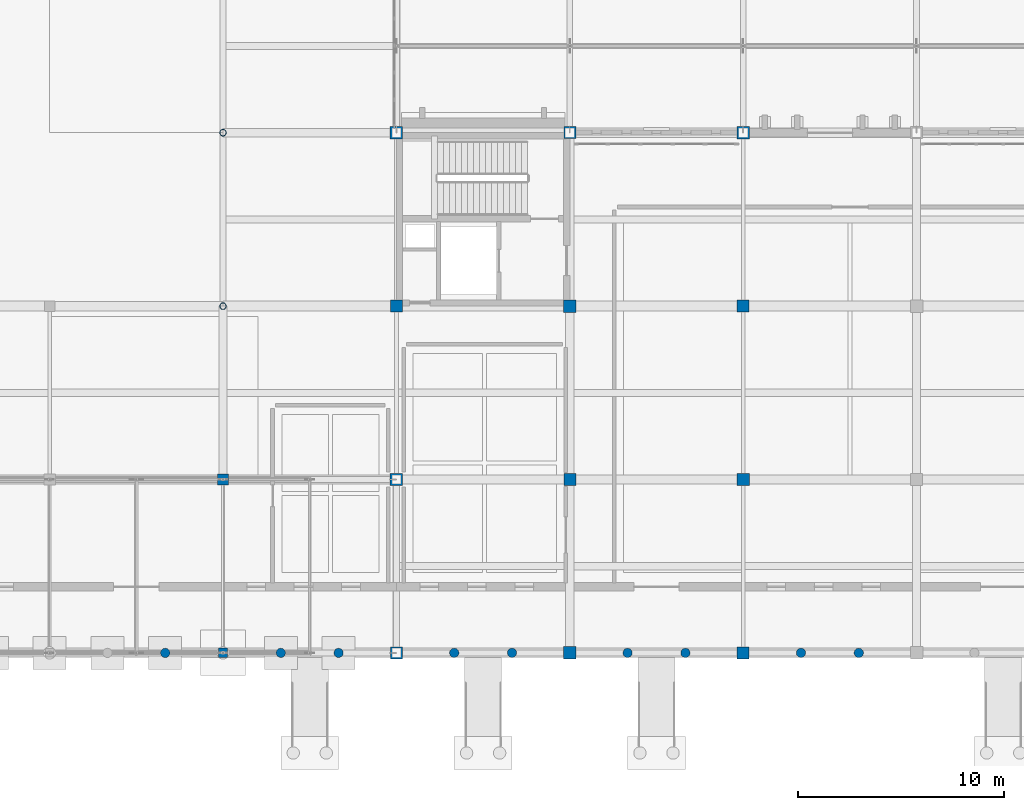
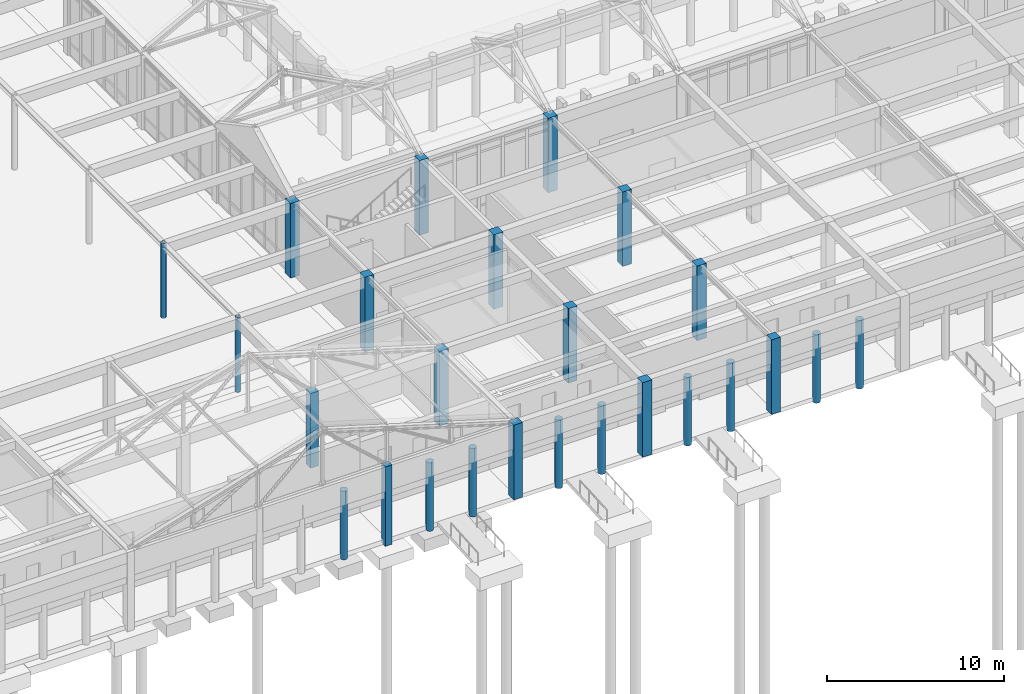
# One storey, part 12 of 143: 25 columns.
"""IFC4 building model written with IfcOpenShell, lengths in metres."""

from ifc_helpers import new_model, si_unit, direction, frame, origin, origin_2d, place, context, subcontext, project, spatial, rectangle, circle, hollow_circle, extrude, material, material_profile, profile_set, type_object, element, save


model = new_model("IFC4")

# Units and contexts
model_context = context("Model", 3, precision=1e-05, world=origin(), true_north=direction((0.0, 1.0)))
body_context = subcontext(model_context, "Body", "Model", "MODEL_VIEW")
ifc_project = project(units=[si_unit("LENGTHUNIT", "METRE"), si_unit("AREAUNIT", "SQUARE_METRE"), si_unit("VOLUMEUNIT", "CUBIC_METRE"), si_unit("PLANEANGLEUNIT", "RADIAN"), si_unit("MASSUNIT", "GRAM", prefix="KILO")], contexts=[model_context])

# Site, building, storey
site_placement = place(None, origin())
site = spatial("IfcSite", under=ifc_project, at=site_placement, CompositionType="ELEMENT")
building_placement = place(site_placement, origin())
building = spatial("IfcBuilding", under=site, at=building_placement, Name="Kveldsbrygga Polytechnic", CompositionType="ELEMENT")
storey_placement = place(building_placement, origin())
storey = spatial("IfcBuildingStorey", under=building, at=storey_placement, Name="L00", CompositionType="ELEMENT", Elevation=0.0)

# Columns
ifc_material_1 = material(Name="Concrete C45/55", Category="concrete")
ifc_material_profile_1 = material_profile(ifc_material_1, circle(Radius=0.22509765625, at=origin_2d()), Name="RC D450")
ifc_profile_set_1 = profile_set([ifc_material_profile_1], Name="Concrete C45/55")
column_type_1 = type_object("IfcColumnType", Name="COL-ARC-D450", PredefinedType="COLUMN", material=ifc_profile_set_1)
for number, where, z_axis, x_axis, name in (
    (1, (64.39990234375, 0.0, -0.320068359375), (0.0, 0.0, 1.0), (1.0, 0.0, 0.0), "Cloister Arcade Pier COL-ARC-016"),
    (2, (70.0, 0.0, -0.320068359375), (0.0, 0.0, 1.0), (1.0, 0.0, 0.0), "Cloister Arcade Pier COL-ARC-017"),
    (3, (72.800048828125, 0.0, -0.320068359375), (0.0, 0.0, 1.0), (1.0, 0.0, 0.0), "Cloister Arcade Pier COL-ARC-018"),
    (4, (78.39990234375, 0.0, -0.320068359375), (0.0, 0.0, 1.0), (1.0, 0.0, 0.0), "Cloister Arcade Pier COL-ARC-019"),
    (5, (81.199951171875, 0.0, -0.320068359375), (0.0, 0.0, 1.0), (1.0, 0.0, 0.0), "Cloister Arcade Pier COL-ARC-020"),
    (6, (86.800048828125, 0.0, -0.320068359375), (0.0, 0.0, 1.0), (1.0, 0.0, 0.0), "Cloister Arcade Pier COL-ARC-021"),
    (7, (89.60009765625, 0.0, -0.320068359375), (0.0, 0.0, 1.0), (1.0, 0.0, 0.0), "Cloister Arcade Pier COL-ARC-022"),
    (8, (95.199951171875, 0.0, -0.320068359375), (0.0, 0.0, 1.0), (1.0, 0.0, 0.0), "Cloister Arcade Pier COL-ARC-023"),
    (9, (98.0, 0.0, -0.320068359375), (0.0, 0.0, 1.0), (1.0, 0.0, 0.0), "Cloister Arcade Pier COL-ARC-024"),
):
    element("IfcColumn", number, at=place(storey_placement, frame(where, z_axis=z_axis, x_axis=x_axis)), inside=storey, type_object=column_type_1, Name=name, PredefinedType="COLUMN", context=body_context, shape_type="SweptSolid", body=[
        extrude(circle(Radius=0.22509765625, at=origin_2d()), origin(), (0.0, 0.0, 1.0), 4.719970703125),
    ])
ifc_material_profile_2 = material_profile(ifc_material_1, rectangle(XDim=0.449951171875, YDim=0.449951171875, at=origin_2d()), Name="RC 450x450")
ifc_profile_set_2 = profile_set([ifc_material_profile_2], Name="Concrete C45/55")
column_type_2 = type_object("IfcColumnType", Name="COL-RC-450", PredefinedType="COLUMN", material=ifc_profile_set_2)
column_1_placement = place(storey_placement, frame((67.199951171875, 0.0, -0.320068359375), z_axis=(0.0, 0.0, 1.0), x_axis=(1.0, 0.0, 0.0)))
element("IfcColumn", 10, at=column_1_placement, inside=storey, type_object=column_type_2, Name="Column COL-L00-08-00", PredefinedType="COLUMN", context=body_context, shape_type="SweptSolid", body=[
    extrude(rectangle(XDim=0.449951171875, YDim=0.449951171875, at=origin_2d()), origin(), (0.0, 0.0, 1.0), 5.4599609375),
])
ifc_material_profile_3 = material_profile(ifc_material_1, rectangle(XDim=0.52001953125, YDim=0.52001953125, at=origin_2d()), Name="RC 520x520")
ifc_profile_set_3 = profile_set([ifc_material_profile_3], Name="Concrete C45/55")
column_type_3 = type_object("IfcColumnType", Name="COL-RC-520", PredefinedType="COLUMN", material=ifc_profile_set_3)
column_2_placement = place(storey_placement, frame((67.199951171875, 8.39990234375, 0.0), z_axis=(0.0, 0.0, 1.0), x_axis=(1.0, 0.0, 0.0)))
element("IfcColumn", 11, at=column_2_placement, inside=storey, type_object=column_type_3, Name="Column COL-L00-08-01", PredefinedType="COLUMN", context=body_context, shape_type="SweptSolid", body=[
    extrude(rectangle(XDim=0.52001953125, YDim=0.52001953125, at=origin_2d()), origin(), (0.0, 0.0, 1.0), 5.139892578125),
])
ifc_material_profile_4 = material_profile(ifc_material_1, rectangle(XDim=0.580078125, YDim=0.580078125, at=origin_2d()), Name="RC 580x580")
ifc_profile_set_4 = profile_set([ifc_material_profile_4], Name="Concrete C45/55")
column_type_4 = type_object("IfcColumnType", Name="COL-RC-580", PredefinedType="COLUMN", material=ifc_profile_set_4)
for number, where, z_axis, x_axis, name in (
    (12, (75.60009765625, 0.0, 0.0), (0.0, 0.0, 1.0), (1.0, 0.0, 0.0), "Column COL-L00-09-00"),
    (13, (75.60009765625, 16.800048828125, 0.0), (0.0, 0.0, 1.0), (1.0, 0.0, 0.0), "Column COL-L00-09-02"),
    (14, (84.0, 8.39990234375, 0.0), (0.0, 0.0, 1.0), (1.0, 0.0, 0.0), "Column COL-L00-10-01"),
    (15, (84.0, 25.199951171875, 0.0), (0.0, 0.0, 1.0), (1.0, 0.0, 0.0), "Column COL-L00-10-03"),
    (16, (92.39990234375, 0.0, 0.0), (0.0, 0.0, 1.0), (1.0, 0.0, 0.0), "Column COL-L00-11-00"),
    (17, (92.39990234375, 16.800048828125, 0.0), (0.0, 0.0, 1.0), (1.0, 0.0, 0.0), "Column COL-L00-11-02"),
):
    element("IfcColumn", number, at=place(storey_placement, frame(where, z_axis=z_axis, x_axis=x_axis)), inside=storey, type_object=column_type_4, Name=name, PredefinedType="COLUMN", context=body_context, shape_type="SweptSolid", body=[
        extrude(rectangle(XDim=0.580078125, YDim=0.580078125, at=origin_2d()), origin(), (0.0, 0.0, 1.0), 5.139892578125),
    ])
ifc_material_profile_5 = material_profile(ifc_material_1, rectangle(XDim=0.60009765625, YDim=0.60009765625, at=origin_2d()), Name="RC 600x600")
ifc_profile_set_5 = profile_set([ifc_material_profile_5], Name="Concrete C45/55")
column_type_5 = type_object("IfcColumnType", Name="COL-RC-600", PredefinedType="COLUMN", material=ifc_profile_set_5)
for number, where, z_axis, x_axis, name in (
    (18, (75.60009765625, 8.39990234375, 0.0), (0.0, 0.0, 1.0), (1.0, 0.0, 0.0), "Column COL-L00-09-01"),
    (19, (75.60009765625, 25.199951171875, 0.0), (0.0, 0.0, 1.0), (1.0, 0.0, 0.0), "Column COL-L00-09-03"),
    (20, (84.0, 0.0, 0.0), (0.0, 0.0, 1.0), (1.0, 0.0, 0.0), "Column COL-L00-10-00"),
    (21, (84.0, 16.800048828125, 0.0), (0.0, 0.0, 1.0), (1.0, 0.0, 0.0), "Column COL-L00-10-02"),
    (22, (92.39990234375, 8.39990234375, 0.0), (0.0, 0.0, 1.0), (1.0, 0.0, 0.0), "Column COL-L00-11-01"),
    (23, (92.39990234375, 25.199951171875, 0.0), (0.0, 0.0, 1.0), (1.0, 0.0, 0.0), "Column COL-L00-11-03"),
):
    element("IfcColumn", number, at=place(storey_placement, frame(where, z_axis=z_axis, x_axis=x_axis)), inside=storey, type_object=column_type_5, Name=name, PredefinedType="COLUMN", context=body_context, shape_type="SweptSolid", body=[
        extrude(rectangle(XDim=0.60009765625, YDim=0.60009765625, at=origin_2d()), origin(), (0.0, 0.0, 1.0), 5.139892578125),
    ])
ifc_material_2 = material(Name="Steel S355", Category="steel")
ifc_material_profile_6 = material_profile(ifc_material_2, hollow_circle(Radius=0.161865234375, WallThickness=0.01611328125, at=origin_2d()), Name="CHS 323.9x16.0")
ifc_profile_set_6 = profile_set([ifc_material_profile_6], Name="Steel S355")
column_type_6 = type_object("IfcColumnType", Name="COL-STL-CHS324", PredefinedType="COLUMN", material=ifc_profile_set_6)
for number, where, z_axis, x_axis, name in (
    (24, (67.199951171875, 16.800048828125, 0.0), (0.0, 0.0, 1.0), (1.0, 0.0, 0.0), "Column COL-L00-08-02"),
    (25, (67.199951171875, 25.199951171875, 0.0), (0.0, 0.0, 1.0), (1.0, 0.0, 0.0), "Column COL-L00-08-03"),
):
    element("IfcColumn", number, at=place(storey_placement, frame(where, z_axis=z_axis, x_axis=x_axis)), inside=storey, type_object=column_type_6, Name=name, PredefinedType="COLUMN", context=body_context, shape_type="SweptSolid", body=[
        extrude(hollow_circle(Radius=0.161865234375, WallThickness=0.01611328125, at=origin_2d()), origin(), (0.0, 0.0, 1.0), 5.139892578125),
    ])

save(model, "model.ifc")
